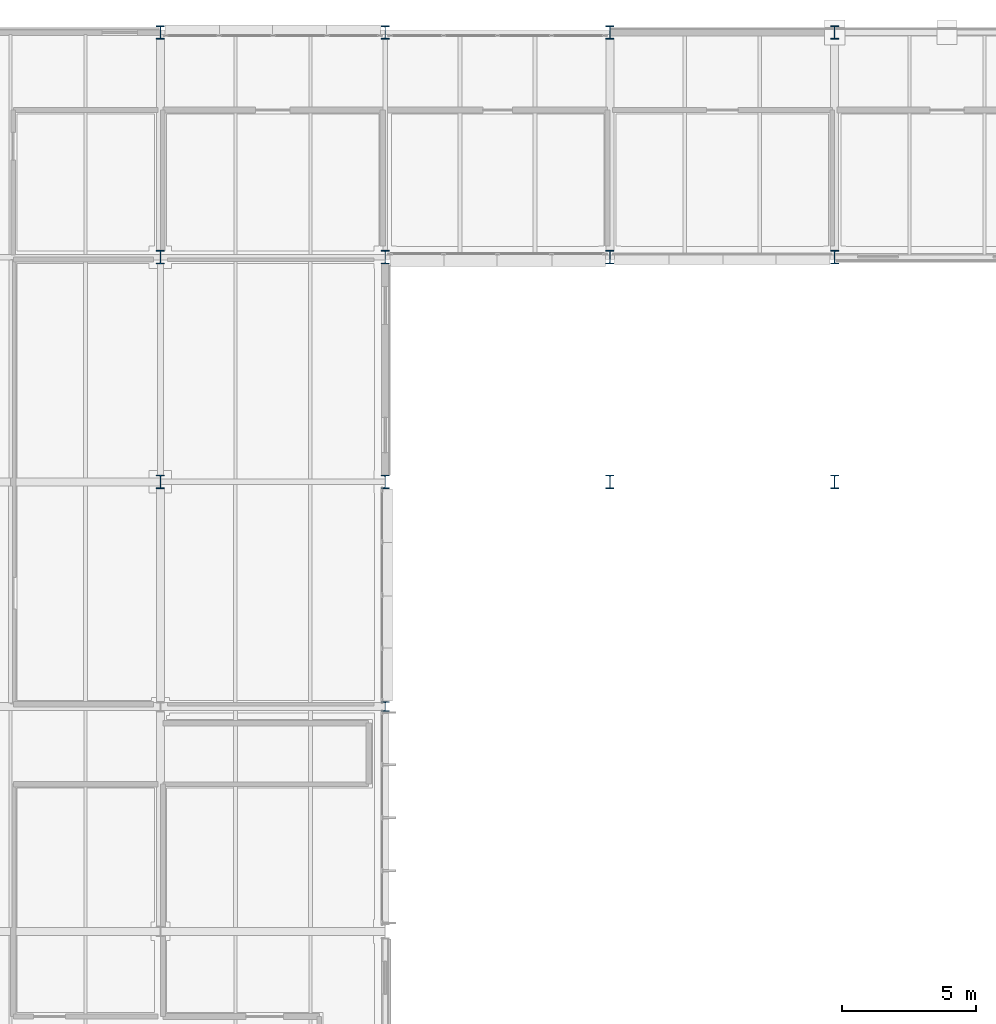
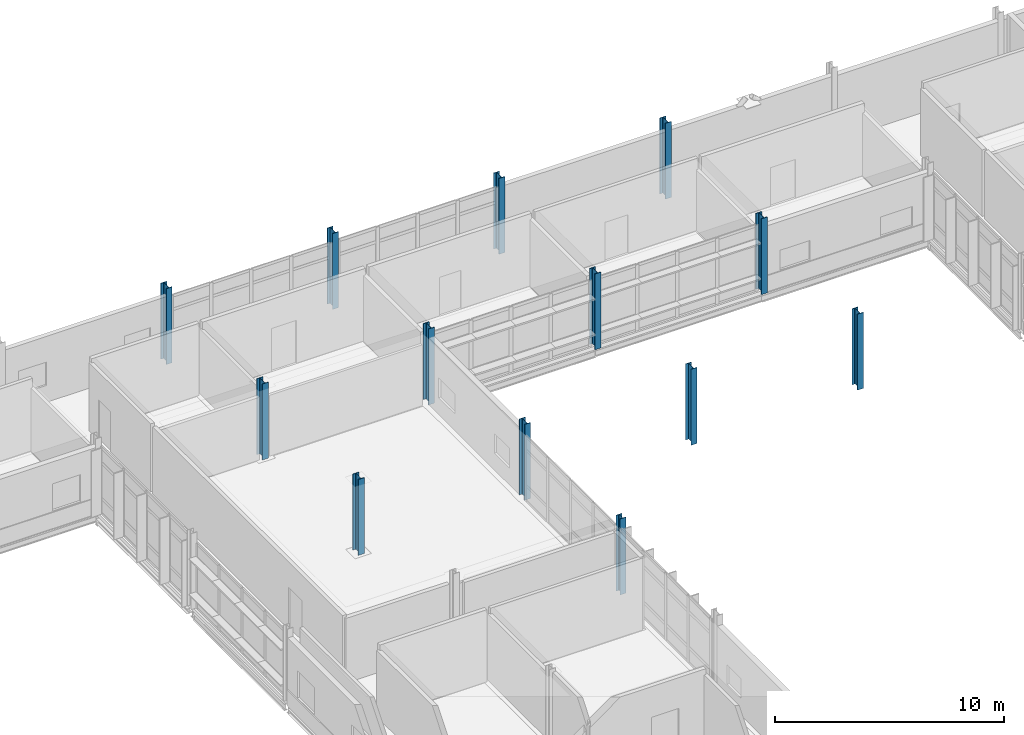
# One storey, part 10 of 131: 13 columns.
"""IFC4 building model written with IfcOpenShell, lengths in metres."""

from ifc_helpers import new_model, si_unit, direction, frame, origin, origin_2d, place, context, subcontext, project, spatial, i_section, extrude, material, material_profile, profile_set, type_object, element, save


model = new_model("IFC4")

# Units and contexts
model_context = context("Model", 3, precision=1e-05, world=origin(), true_north=direction((0.0, 1.0)))
body_context = subcontext(model_context, "Body", "Model", "MODEL_VIEW")
ifc_project = project(units=[si_unit("LENGTHUNIT", "METRE"), si_unit("AREAUNIT", "SQUARE_METRE"), si_unit("VOLUMEUNIT", "CUBIC_METRE"), si_unit("PLANEANGLEUNIT", "RADIAN"), si_unit("MASSUNIT", "GRAM", prefix="KILO")], contexts=[model_context])

# Site, building, storey
site_placement = place(None, origin())
site = spatial("IfcSite", under=ifc_project, at=site_placement, CompositionType="ELEMENT")
building_placement = place(site_placement, origin())
building = spatial("IfcBuilding", under=site, at=building_placement, Name="Mersafa Astral City Hall", CompositionType="ELEMENT")
storey_placement = place(building_placement, frame((0.0, 0.0, 13.949951171875)))
storey = spatial("IfcBuildingStorey", under=building, at=storey_placement, Name="L03", CompositionType="ELEMENT", Elevation=13.949951171875)

# Columns
ifc_material = material(Name="Steel S355", Category="steel")
ifc_material_profile_1 = material_profile(ifc_material, i_section(OverallWidth=0.300048828125, OverallDepth=0.360107421875, WebThickness=0.012451171875, FlangeThickness=0.0224609375, FilletRadius=0.027099609375, at=origin_2d()), Name="HEB 360")
ifc_profile_set_1 = profile_set([ifc_material_profile_1], Name="Steel S355")
column_type_1 = type_object("IfcColumnType", Name="STR-COL-HEB360", PredefinedType="COLUMN", material=ifc_profile_set_1)
column_placement = place(storey_placement, frame((117.60009765625, 100.800048828125, 0.0), z_axis=(0.0, 0.0, 1.0), x_axis=(1.0, 0.0, 0.0)))
element("IfcColumn", 1, at=column_placement, inside=storey, type_object=column_type_1, Name="L03 Structural column G-14-12", PredefinedType="COLUMN", context=body_context, shape_type="SweptSolid", body=[
    extrude(i_section(OverallWidth=0.300048828125, OverallDepth=0.360107421875, WebThickness=0.012451171875, FlangeThickness=0.0224609375, FilletRadius=0.027099609375, at=origin_2d()), origin(), (0.0, 0.0, 1.0), 4.050048828125),
])
ifc_material_profile_2 = material_profile(ifc_material, i_section(OverallWidth=0.300048828125, OverallDepth=0.5, WebThickness=0.014404296875, FlangeThickness=0.028076171875, FilletRadius=0.027099609375, at=origin_2d()), Name="HEB 500")
ifc_profile_set_2 = profile_set([ifc_material_profile_2], Name="Steel S355")
column_type_2 = type_object("IfcColumnType", Name="STR-COL-HEB500", PredefinedType="COLUMN", material=ifc_profile_set_2)
for number, where, z_axis, x_axis, name in (
    (2, (109.199951171875, 109.199951171875, 0.0), (0.0, 0.0, 1.0), (1.0, 0.0, 0.0), "L03 Structural column G-13-13"),
    (3, (109.199951171875, 117.60009765625, 0.0), (0.0, 0.0, 1.0), (1.0, 0.0, 0.0), "L03 Structural column G-13-14"),
    (4, (109.199951171875, 126.0, 0.0), (0.0, 0.0, 1.0), (1.0, 0.0, 0.0), "L03 Structural column G-13-15"),
    (5, (117.60009765625, 109.199951171875, 0.0), (0.0, 0.0, 1.0), (1.0, 0.0, 0.0), "L03 Structural column G-14-13"),
    (6, (117.60009765625, 117.60009765625, 0.0), (0.0, 0.0, 1.0), (1.0, 0.0, 0.0), "L03 Structural column G-14-14"),
    (7, (117.60009765625, 126.0, 0.0), (0.0, 0.0, 1.0), (1.0, 0.0, 0.0), "L03 Structural column G-14-15"),
    (8, (126.0, 109.199951171875, 0.0), (0.0, 0.0, 1.0), (1.0, 0.0, 0.0), "L03 Structural column G-15-13"),
    (9, (126.0, 117.60009765625, 0.0), (0.0, 0.0, 1.0), (1.0, 0.0, 0.0), "L03 Structural column G-15-14"),
    (10, (126.0, 126.0, 0.0), (0.0, 0.0, 1.0), (1.0, 0.0, 0.0), "L03 Structural column G-15-15"),
    (11, (134.39990234375, 109.199951171875, 0.0), (0.0, 0.0, 1.0), (1.0, 0.0, 0.0), "L03 Structural column G-16-13"),
    (12, (134.39990234375, 117.60009765625, 0.0), (0.0, 0.0, 1.0), (1.0, 0.0, 0.0), "L03 Structural column G-16-14"),
    (13, (134.39990234375, 126.0, 0.0), (0.0, 0.0, 1.0), (1.0, 0.0, 0.0), "L03 Structural column G-16-15"),
):
    element("IfcColumn", number, at=place(storey_placement, frame(where, z_axis=z_axis, x_axis=x_axis)), inside=storey, type_object=column_type_2, Name=name, PredefinedType="COLUMN", context=body_context, shape_type="SweptSolid", body=[
        extrude(i_section(OverallWidth=0.300048828125, OverallDepth=0.5, WebThickness=0.014404296875, FlangeThickness=0.028076171875, FilletRadius=0.027099609375, at=origin_2d()), origin(), (0.0, 0.0, 1.0), 4.050048828125),
    ])

save(model, "model.ifc")
